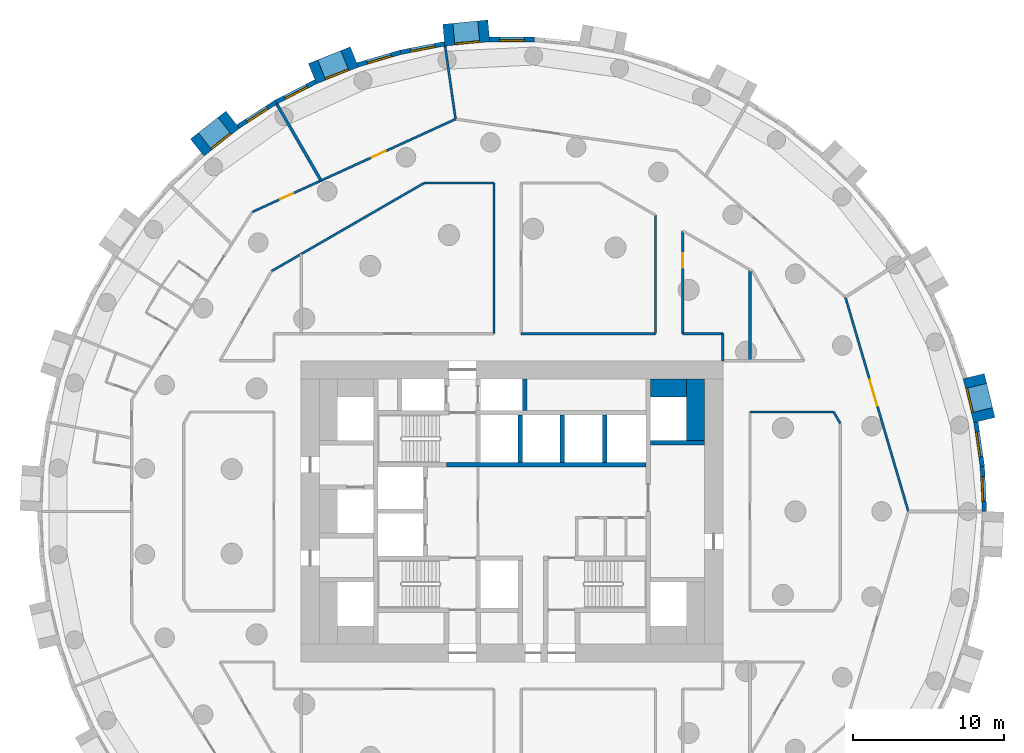
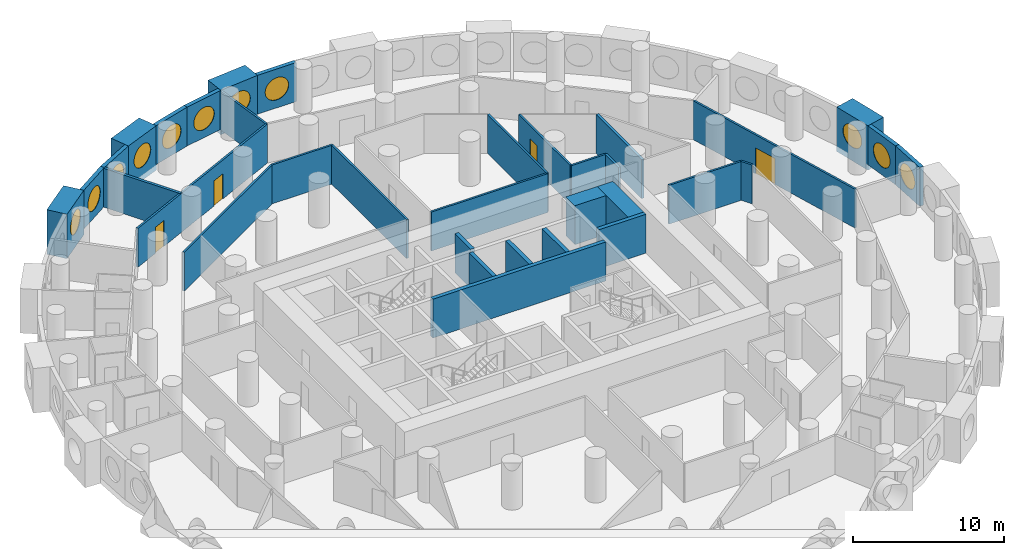
# One storey, part 8 of 11: 34 walls, 11 windows, 4 doors, 15 openings.
"""IFC4 building model written with IfcOpenShell, lengths in metres."""

from ifc_helpers import new_model, si_unit, direction, frame, frame_2d, origin, origin_2d, place, context, subcontext, project, spatial, rectangle, circle, extrude, material, layer, layer_set, type_object, element, fill, save


model = new_model("IFC4")

# Units and contexts
model_context = context("Model", 3, precision=1e-05, world=origin(), true_north=direction((0.0, 1.0)))
body_context = subcontext(model_context, "Body", "Model", "MODEL_VIEW")
ifc_project = project(units=[si_unit("LENGTHUNIT", "METRE"), si_unit("AREAUNIT", "SQUARE_METRE"), si_unit("VOLUMEUNIT", "CUBIC_METRE"), si_unit("PLANEANGLEUNIT", "RADIAN"), si_unit("MASSUNIT", "GRAM", prefix="KILO")], contexts=[model_context])

# Site, building, storey
site_placement = place(None, origin())
site = spatial("IfcSite", under=ifc_project, at=site_placement, CompositionType="ELEMENT")
building_placement = place(site_placement, origin())
building = spatial("IfcBuilding", under=site, at=building_placement, Name="Tracery Tower", CompositionType="ELEMENT")
storey_placement = place(building_placement, frame((0.0, 0.0, 67.800048828125)))
storey = spatial("IfcBuildingStorey", under=building, at=storey_placement, Name="L16", CompositionType="ELEMENT", Elevation=67.800048828125)

# Walls
ifc_material_1 = material(Name="Concrete C60/75", Category="concrete")
ifc_layer_1 = layer(ifc_material_1, 1.199951171875)
ifc_layer_set_1 = layer_set([ifc_layer_1], Name="Core strip wall 1200 C60")
wall_type_1 = type_object("IfcWallType", Name="Core strip wall 1200 C60", PredefinedType="SOLIDWALL", material=ifc_layer_set_1)
wall_1_placement = place(storey_placement, frame((12.199951171875, 4.699951171875, 0.0), z_axis=(0.0, 0.0, 1.0), x_axis=(0.0, 1.0, 0.0)))
element("IfcWall", 1, at=wall_1_placement, inside=storey, type_object=wall_type_1, Name="L16 wing strip +1 4.55", PredefinedType="SOLIDWALL", context=body_context, shape_type="SweptSolid", body=[
    extrude(rectangle(XDim=4.10009765625, YDim=1.199951171875, at=frame_2d((2.050048828125, 0.0))), origin(), (0.0, 0.0, 1.0), 3.14990234375),
])
wall_2_placement = place(storey_placement, frame((9.199951171875, 8.199951171875, 0.0), z_axis=(0.0, 0.0, 1.0), x_axis=(1.0, 0.0, 0.0)))
element("IfcWall", 2, at=wall_2_placement, inside=storey, type_object=wall_type_1, Name="L16 wing corner +1 +8.2", PredefinedType="SOLIDWALL", context=body_context, shape_type="SweptSolid", body=[
    extrude(rectangle(XDim=2.400146484375, YDim=1.199951171875, at=frame_2d((1.2001953125, 0.0))), origin(), (0.0, 0.0, 1.0), 3.14990234375),
])

# Wall, opening, window
ifc_material_2 = material(Name="Precast concrete C50/60", Category="concrete")
ifc_layer_2 = layer(ifc_material_2, 1.449951171875)
ifc_layer_set_2 = layer_set([ifc_layer_2], Name="Deep-set bay unit 3000 x 3600, slab edge 450")
wall_type_2 = type_object("IfcWallType", Name="Deep-set bay unit 3000 x 3600, slab edge 450", PredefinedType="ELEMENTEDWALL", material=ifc_layer_set_2)
wall_3_placement = place(storey_placement, frame((31.367919921875, 6.066162109375, -0.449951171875), z_axis=(0.0, 0.0, 1.0), x_axis=(-0.235751415068, 0.971813392732, 0.0)))
wall_3 = element("IfcWall", 3, at=wall_3_placement, inside=storey, type_object=wall_type_2, Name="Deep-set bay unit 3 at L16", PredefinedType="ELEMENTEDWALL", context=body_context, shape_type="SweptSolid", body=[
    extrude(rectangle(XDim=3.0, YDim=1.449951171875, at=frame_2d((1.5, 0.0))), origin(), (0.0, 0.0, 1.0), 3.599853515625),
])
opening_1_placement = place(wall_3_placement, frame((1.5, 0.0, 2.0)))
opening_1 = element("IfcOpeningElement", 4, at=opening_1_placement, cuts=wall_3, Name="Opening WN1", PredefinedType="OPENING", context=body_context, shape_type="SweptSolid", body=[
    extrude(circle(Radius=0.9000244140625, at=origin_2d()), frame((0.0, 0.73486328125, 0.0), z_axis=(0.0, -1.0, 0.0), x_axis=(1.0, 0.0, 0.0)), (0.0, 0.0, 1.0), 1.469970703125),
])
ifc_material_3 = material(Name="Aluminium frame with tinted double glazing", Category="aluminium")
window_type = type_object("IfcWindowType", Name="Round window 1800", PartitioningType="SINGLE_PANEL", PredefinedType="WINDOW", material=ifc_material_3)
window_1_placement = place(opening_1_placement, origin())
window_1 = element("IfcWindow", 5, at=window_1_placement, inside=storey, type_object=window_type, Name="Round window 3 at L16", OverallHeight=1.800048828125, OverallWidth=1.800048828125, PartitioningType="SINGLE_PANEL", PredefinedType="WINDOW", context=body_context, shape_type="SweptSolid", body=[
    extrude(circle(Radius=0.9000244140625, at=origin_2d()), frame((0.0, 0.69482421875, 0.0), z_axis=(0.0, -1.0, 0.0), x_axis=(1.0, 0.0, 0.0)), (0.0, 0.0, 1.0), 0.10009765625),
])
fill(opening_1, window_1)

wall_4_placement = place(storey_placement, frame((-1.540283203125, 31.911865234375, -0.449951171875), z_axis=(0.0, 0.0, 1.0), x_axis=(-0.995472768558, -0.09504718333, 0.0)))
wall_4 = element("IfcWall", 6, at=wall_4_placement, inside=storey, type_object=wall_type_2, Name="Deep-set bay unit 18 at L16", PredefinedType="ELEMENTEDWALL", context=body_context, shape_type="SweptSolid", body=[
    extrude(rectangle(XDim=3.000244140625, YDim=1.449951171875, at=frame_2d((1.5, 0.0))), origin(), (0.0, 0.0, 1.0), 3.599853515625),
])
opening_2_placement = place(wall_4_placement, frame((1.5, 0.0, 2.0)))
opening_2 = element("IfcOpeningElement", 7, at=opening_2_placement, cuts=wall_4, Name="Opening WN1", PredefinedType="OPENING", context=body_context, shape_type="SweptSolid", body=[
    extrude(circle(Radius=0.9000244140625, at=origin_2d()), frame((0.0, 0.73486328125, 0.0), z_axis=(0.0, -1.0, 0.0), x_axis=(1.0, 0.0, 0.0)), (0.0, 0.0, 1.0), 1.469970703125),
])
window_2_placement = place(opening_2_placement, origin())
window_2 = element("IfcWindow", 8, at=window_2_placement, inside=storey, type_object=window_type, Name="Round window 18 at L16", OverallHeight=1.800048828125, OverallWidth=1.800048828125, PartitioningType="SINGLE_PANEL", PredefinedType="WINDOW", context=body_context, shape_type="SweptSolid", body=[
    extrude(circle(Radius=0.9000244140625, at=origin_2d()), frame((0.0, 0.69482421875, 0.0), z_axis=(0.0, -1.0, 0.0), x_axis=(1.0, 0.0, 0.0)), (0.0, 0.0, 1.0), 0.10009765625),
])
fill(opening_2, window_2)

wall_5_placement = place(storey_placement, frame((-10.46875, 30.185302734375, -0.449951171875), z_axis=(0.0, 0.0, 1.0), x_axis=(-0.928358776184, -0.371685327504, 0.0)))
wall_5 = element("IfcWall", 9, at=wall_5_placement, inside=storey, type_object=wall_type_2, Name="Deep-set bay unit 21 at L16", PredefinedType="ELEMENTEDWALL", context=body_context, shape_type="SweptSolid", body=[
    extrude(rectangle(XDim=2.999755859375, YDim=1.449951171875, at=frame_2d((1.5, 0.0))), origin(), (0.0, 0.0, 1.0), 3.599853515625),
])
opening_3_placement = place(wall_5_placement, frame((1.5, 0.0, 2.0)))
opening_3 = element("IfcOpeningElement", 10, at=opening_3_placement, cuts=wall_5, Name="Opening WN1", PredefinedType="OPENING", context=body_context, shape_type="SweptSolid", body=[
    extrude(circle(Radius=0.9000244140625, at=origin_2d()), frame((0.0, 0.73486328125, 0.0), z_axis=(0.0, -1.0, 0.0), x_axis=(1.0, 0.0, 0.0)), (0.0, 0.0, 1.0), 1.469970703125),
])
window_3_placement = place(opening_3_placement, origin())
window_3 = element("IfcWindow", 11, at=window_3_placement, inside=storey, type_object=window_type, Name="Round window 21 at L16", OverallHeight=1.800048828125, OverallWidth=1.800048828125, PartitioningType="SINGLE_PANEL", PredefinedType="WINDOW", context=body_context, shape_type="SweptSolid", body=[
    extrude(circle(Radius=0.9000244140625, at=origin_2d()), frame((0.0, 0.69482421875, 0.0), z_axis=(0.0, -1.0, 0.0), x_axis=(1.0, 0.0, 0.0)), (0.0, 0.0, 1.0), 0.10009765625),
])
fill(opening_3, window_3)

wall_6_placement = place(storey_placement, frame((-18.548828125, 26.01318359375, -0.449951171875), z_axis=(0.0, 0.0, 1.0), x_axis=(-0.786049992888, -0.618162930529, 0.0)))
wall_6 = element("IfcWall", 12, at=wall_6_placement, inside=storey, type_object=wall_type_2, Name="Deep-set bay unit 24 at L16", PredefinedType="ELEMENTEDWALL", context=body_context, shape_type="SweptSolid", body=[
    extrude(rectangle(XDim=3.0, YDim=1.449951171875, at=frame_2d((1.5, 0.0))), origin(), (0.0, 0.0, 1.0), 3.599853515625),
])
opening_4_placement = place(wall_6_placement, frame((1.5, 0.0, 2.0)))
opening_4 = element("IfcOpeningElement", 13, at=opening_4_placement, cuts=wall_6, Name="Opening WN1", PredefinedType="OPENING", context=body_context, shape_type="SweptSolid", body=[
    extrude(circle(Radius=0.9000244140625, at=origin_2d()), frame((0.0, 0.73486328125, 0.0), z_axis=(0.0, -1.0, 0.0), x_axis=(1.0, 0.0, 0.0)), (0.0, 0.0, 1.0), 1.469970703125),
])
window_4_placement = place(opening_4_placement, origin())
window_4 = element("IfcWindow", 14, at=window_4_placement, inside=storey, type_object=window_type, Name="Round window 24 at L16", OverallHeight=1.800048828125, OverallWidth=1.800048828125, PartitioningType="SINGLE_PANEL", PredefinedType="WINDOW", context=body_context, shape_type="SweptSolid", body=[
    extrude(circle(Radius=0.9000244140625, at=origin_2d()), frame((0.0, 0.69482421875, 0.0), z_axis=(0.0, -1.0, 0.0), x_axis=(1.0, 0.0, 0.0)), (0.0, 0.0, 1.0), 0.10009765625),
])
fill(opening_4, window_4)

ifc_material_4 = material(Name="Precast concrete C50/60", Category="concrete")
ifc_layer_3 = layer(ifc_material_4, 0.300048828125)
ifc_layer_set_3 = layer_set([ifc_layer_3], Name="Facade panel 3000 x 3150")
wall_type_3 = type_object("IfcWallType", Name="Facade panel 3000 x 3150", PredefinedType="SOLIDWALL", material=ifc_layer_set_3)
wall_7_placement = place(storey_placement, frame((31.3740234375, 0.006103515625, 0.0), z_axis=(0.0, 0.0, 1.0), x_axis=(-0.047522328113, 0.998870175914, 0.0)))
wall_7 = element("IfcWall", 15, at=wall_7_placement, inside=storey, type_object=wall_type_3, Name="Facade panel 1 at L16", PredefinedType="SOLIDWALL", context=body_context, shape_type="SweptSolid", body=[
    extrude(rectangle(XDim=2.979736328125, YDim=0.300048828125, at=frame_2d((1.48974609375, 0.0))), origin(), (0.0, 0.0, 1.0), 3.14990234375),
])
opening_5_placement = place(wall_7_placement, frame((1.48974609375, 0.0, 1.5498046875)))
opening_5 = element("IfcOpeningElement", 16, at=opening_5_placement, cuts=wall_7, Name="Opening WN1", PredefinedType="OPENING", context=body_context, shape_type="SweptSolid", body=[
    extrude(circle(Radius=0.9000244140625, at=origin_2d()), frame((0.0, 0.159912109375, 0.0), z_axis=(0.0, -1.0, 0.0), x_axis=(1.0, 0.0, 0.0)), (0.0, 0.0, 1.0), 0.320068359375),
])
window_5_placement = place(opening_5_placement, origin())
window_5 = element("IfcWindow", 17, at=window_5_placement, inside=storey, type_object=window_type, Name="Round window 1 at L16", OverallHeight=1.800048828125, OverallWidth=1.800048828125, PartitioningType="SINGLE_PANEL", PredefinedType="WINDOW", context=body_context, shape_type="SweptSolid", body=[
    extrude(circle(Radius=0.9000244140625, at=origin_2d()), frame((0.0, 0.1201171875, 0.0), z_axis=(0.0, -1.0, 0.0), x_axis=(1.0, 0.0, 0.0)), (0.0, 0.0, 1.0), 0.10009765625),
])
fill(opening_5, window_5)

wall_8_placement = place(storey_placement, frame((31.232421875, 2.982421875, 0.0), z_axis=(0.0, 0.0, 1.0), x_axis=(-0.142327539111, 0.989819615693, 0.0)))
wall_8 = element("IfcWall", 18, at=wall_8_placement, inside=storey, type_object=wall_type_3, Name="Facade panel 2 at L16", PredefinedType="SOLIDWALL", context=body_context, shape_type="SweptSolid", body=[
    extrude(rectangle(XDim=2.9794921875, YDim=0.300048828125, at=frame_2d((1.48974609375, 0.0))), origin(), (0.0, 0.0, 1.0), 3.14990234375),
])
opening_6_placement = place(wall_8_placement, frame((1.48974609375, 0.0, 1.5498046875)))
opening_6 = element("IfcOpeningElement", 19, at=opening_6_placement, cuts=wall_8, Name="Opening WN1", PredefinedType="OPENING", context=body_context, shape_type="SweptSolid", body=[
    extrude(circle(Radius=0.9000244140625, at=origin_2d()), frame((0.0, 0.159912109375, 0.0), z_axis=(0.0, -1.0, 0.0), x_axis=(1.0, 0.0, 0.0)), (0.0, 0.0, 1.0), 0.320068359375),
])
window_6_placement = place(opening_6_placement, origin())
window_6 = element("IfcWindow", 20, at=window_6_placement, inside=storey, type_object=window_type, Name="Round window 2 at L16", OverallHeight=1.800048828125, OverallWidth=1.800048828125, PartitioningType="SINGLE_PANEL", PredefinedType="WINDOW", context=body_context, shape_type="SweptSolid", body=[
    extrude(circle(Radius=0.9000244140625, at=origin_2d()), frame((0.0, 0.1201171875, 0.0), z_axis=(0.0, -1.0, 0.0), x_axis=(1.0, 0.0, 0.0)), (0.0, 0.0, 1.0), 0.10009765625),
])
fill(opening_6, window_6)

wall_9_placement = place(storey_placement, frame((1.492919921875, 31.3388671875, 0.0), z_axis=(0.0, 0.0, 1.0), x_axis=(-1.0, 0.0, 0.0)))
wall_9 = element("IfcWall", 21, at=wall_9_placement, inside=storey, type_object=wall_type_3, Name="Facade panel 17 at L16", PredefinedType="SOLIDWALL", context=body_context, shape_type="SweptSolid", body=[
    extrude(rectangle(XDim=2.979736328125, YDim=0.300048828125, at=frame_2d((1.48974609375, 0.0))), origin(), (0.0, 0.0, 1.0), 3.14990234375),
])
opening_7_placement = place(wall_9_placement, frame((1.48974609375, 0.0, 1.5498046875)))
opening_7 = element("IfcOpeningElement", 22, at=opening_7_placement, cuts=wall_9, Name="Opening WN1", PredefinedType="OPENING", context=body_context, shape_type="SweptSolid", body=[
    extrude(circle(Radius=0.9000244140625, at=origin_2d()), frame((0.0, 0.159912109375, 0.0), z_axis=(0.0, -1.0, 0.0), x_axis=(1.0, 0.0, 0.0)), (0.0, 0.0, 1.0), 0.320068359375),
])
window_7_placement = place(opening_7_placement, origin())
window_7 = element("IfcWindow", 23, at=window_7_placement, inside=storey, type_object=window_type, Name="Round window 17 at L16", OverallHeight=1.800048828125, OverallWidth=1.800048828125, PartitioningType="SINGLE_PANEL", PredefinedType="WINDOW", context=body_context, shape_type="SweptSolid", body=[
    extrude(circle(Radius=0.9000244140625, at=origin_2d()), frame((0.0, 0.1201171875, 0.0), z_axis=(0.0, -1.0, 0.0), x_axis=(1.0, 0.0, 0.0)), (0.0, 0.0, 1.0), 0.10009765625),
])
fill(opening_7, window_7)

wall_10_placement = place(storey_placement, frame((-4.470947265625, 31.053955078125, 0.0), z_axis=(0.0, 0.0, 1.0), x_axis=(-0.981924535406, -0.189272836848, 0.0)))
wall_10 = element("IfcWall", 24, at=wall_10_placement, inside=storey, type_object=wall_type_3, Name="Facade panel 19 at L16", PredefinedType="SOLIDWALL", context=body_context, shape_type="SweptSolid", body=[
    extrude(rectangle(XDim=2.979736328125, YDim=0.300048828125, at=frame_2d((1.48974609375, 0.0))), origin(), (0.0, 0.0, 1.0), 3.14990234375),
])
opening_8_placement = place(wall_10_placement, frame((1.48974609375, 0.0, 1.5498046875)))
opening_8 = element("IfcOpeningElement", 25, at=opening_8_placement, cuts=wall_10, Name="Opening WN1", PredefinedType="OPENING", context=body_context, shape_type="SweptSolid", body=[
    extrude(circle(Radius=0.9000244140625, at=origin_2d()), frame((0.0, 0.159912109375, 0.0), z_axis=(0.0, -1.0, 0.0), x_axis=(1.0, 0.0, 0.0)), (0.0, 0.0, 1.0), 0.320068359375),
])
window_8_placement = place(opening_8_placement, origin())
window_8 = element("IfcWindow", 26, at=window_8_placement, inside=storey, type_object=window_type, Name="Round window 19 at L16", OverallHeight=1.800048828125, OverallWidth=1.800048828125, PartitioningType="SINGLE_PANEL", PredefinedType="WINDOW", context=body_context, shape_type="SweptSolid", body=[
    extrude(circle(Radius=0.9000244140625, at=origin_2d()), frame((0.0, 0.1201171875, 0.0), z_axis=(0.0, -1.0, 0.0), x_axis=(1.0, 0.0, 0.0)), (0.0, 0.0, 1.0), 0.10009765625),
])
fill(opening_8, window_8)

wall_11_placement = place(storey_placement, frame((-7.396728515625, 30.489990234375, 0.0), z_axis=(0.0, 0.0, 1.0), x_axis=(-0.959507586834, -0.28168278401, 0.0)))
wall_11 = element("IfcWall", 27, at=wall_11_placement, inside=storey, type_object=wall_type_3, Name="Facade panel 20 at L16", PredefinedType="SOLIDWALL", context=body_context, shape_type="SweptSolid", body=[
    extrude(rectangle(XDim=2.979736328125, YDim=0.300048828125, at=frame_2d((1.48974609375, 0.0))), origin(), (0.0, 0.0, 1.0), 3.14990234375),
])
opening_9_placement = place(wall_11_placement, frame((1.48974609375, 0.0, 1.5498046875)))
opening_9 = element("IfcOpeningElement", 28, at=opening_9_placement, cuts=wall_11, Name="Opening WN1", PredefinedType="OPENING", context=body_context, shape_type="SweptSolid", body=[
    extrude(circle(Radius=0.9000244140625, at=origin_2d()), frame((0.0, 0.159912109375, 0.0), z_axis=(0.0, -1.0, 0.0), x_axis=(1.0, 0.0, 0.0)), (0.0, 0.0, 1.0), 0.320068359375),
])
window_9_placement = place(opening_9_placement, origin())
window_9 = element("IfcWindow", 29, at=window_9_placement, inside=storey, type_object=window_type, Name="Round window 20 at L16", OverallHeight=1.800048828125, OverallWidth=1.800048828125, PartitioningType="SINGLE_PANEL", PredefinedType="WINDOW", context=body_context, shape_type="SweptSolid", body=[
    extrude(circle(Radius=0.9000244140625, at=origin_2d()), frame((0.0, 0.1201171875, 0.0), z_axis=(0.0, -1.0, 0.0), x_axis=(1.0, 0.0, 0.0)), (0.0, 0.0, 1.0), 0.10009765625),
])
fill(opening_9, window_9)

wall_12_placement = place(storey_placement, frame((-13.038818359375, 28.536376953125, 0.0), z_axis=(0.0, 0.0, 1.0), x_axis=(-0.888853225096, -0.4581920386, 0.0)))
wall_12 = element("IfcWall", 30, at=wall_12_placement, inside=storey, type_object=wall_type_3, Name="Facade panel 22 at L16", PredefinedType="SOLIDWALL", context=body_context, shape_type="SweptSolid", body=[
    extrude(rectangle(XDim=2.9794921875, YDim=0.300048828125, at=frame_2d((1.48974609375, 0.0))), origin(), (0.0, 0.0, 1.0), 3.14990234375),
])
opening_10_placement = place(wall_12_placement, frame((1.48974609375, 0.0, 1.5498046875)))
opening_10 = element("IfcOpeningElement", 31, at=opening_10_placement, cuts=wall_12, Name="Opening WN1", PredefinedType="OPENING", context=body_context, shape_type="SweptSolid", body=[
    extrude(circle(Radius=0.9000244140625, at=origin_2d()), frame((0.0, 0.159912109375, 0.0), z_axis=(0.0, -1.0, 0.0), x_axis=(1.0, 0.0, 0.0)), (0.0, 0.0, 1.0), 0.320068359375),
])
window_10_placement = place(opening_10_placement, origin())
window_10 = element("IfcWindow", 32, at=window_10_placement, inside=storey, type_object=window_type, Name="Round window 22 at L16", OverallHeight=1.800048828125, OverallWidth=1.800048828125, PartitioningType="SINGLE_PANEL", PredefinedType="WINDOW", context=body_context, shape_type="SweptSolid", body=[
    extrude(circle(Radius=0.9000244140625, at=origin_2d()), frame((0.0, 0.1201171875, 0.0), z_axis=(0.0, -1.0, 0.0), x_axis=(1.0, 0.0, 0.0)), (0.0, 0.0, 1.0), 0.10009765625),
])
fill(opening_10, window_10)

wall_13_placement = place(storey_placement, frame((-15.687255859375, 27.171142578125, 0.0), z_axis=(0.0, 0.0, 1.0), x_axis=(-0.84122372879, -0.540687190639, 0.0)))
wall_13 = element("IfcWall", 33, at=wall_13_placement, inside=storey, type_object=wall_type_3, Name="Facade panel 23 at L16", PredefinedType="SOLIDWALL", context=body_context, shape_type="SweptSolid", body=[
    extrude(rectangle(XDim=2.979736328125, YDim=0.300048828125, at=frame_2d((1.48974609375, 0.0))), origin(), (0.0, 0.0, 1.0), 3.14990234375),
])
opening_11_placement = place(wall_13_placement, frame((1.48974609375, 0.0, 1.5498046875)))
opening_11 = element("IfcOpeningElement", 34, at=opening_11_placement, cuts=wall_13, Name="Opening WN1", PredefinedType="OPENING", context=body_context, shape_type="SweptSolid", body=[
    extrude(circle(Radius=0.9000244140625, at=origin_2d()), frame((0.0, 0.159912109375, 0.0), z_axis=(0.0, -1.0, 0.0), x_axis=(1.0, 0.0, 0.0)), (0.0, 0.0, 1.0), 0.320068359375),
])
window_11_placement = place(opening_11_placement, origin())
window_11 = element("IfcWindow", 35, at=window_11_placement, inside=storey, type_object=window_type, Name="Round window 23 at L16", OverallHeight=1.800048828125, OverallWidth=1.800048828125, PartitioningType="SINGLE_PANEL", PredefinedType="WINDOW", context=body_context, shape_type="SweptSolid", body=[
    extrude(circle(Radius=0.9000244140625, at=origin_2d()), frame((0.0, 0.1201171875, 0.0), z_axis=(0.0, -1.0, 0.0), x_axis=(1.0, 0.0, 0.0)), (0.0, 0.0, 1.0), 0.10009765625),
])
fill(opening_11, window_11)

# Walls
ifc_material_5 = material(Name="Plasterboard on steel studs", Category="steel")
ifc_layer_4 = layer(ifc_material_5, 0.14990234375)
ifc_layer_set_4 = layer_set([ifc_layer_4], Name="Partition 150 acoustic unit wall")
wall_type_4 = type_object("IfcWallType", Name="Partition 150 acoustic unit wall", PredefinedType="PARTITIONING", material=ifc_layer_set_4)
wall_14_placement = place(storey_placement, frame((-4.444091796875, 30.906005859375, 0.0), z_axis=(0.0, 0.0, 1.0), x_axis=(0.142306296561, -0.989822669956, 0.0)))
element("IfcWall", 36, at=wall_14_placement, inside=storey, type_object=wall_type_4, Name="Unit wall RA4-068", PredefinedType="PARTITIONING", context=body_context, shape_type="SweptSolid", body=[
    extrude(rectangle(XDim=4.90478515625, YDim=0.14990234375, at=frame_2d((2.452392578125, 0.0))), origin(), (0.0, 0.0, 1.0), 3.14990234375),
])
ifc_material_6 = material(Name="Plasterboard on steel studs", Category="steel")
ifc_layer_5 = layer(ifc_material_6, 0.14990234375)
ifc_layer_set_5 = layer_set([ifc_layer_5], Name="Partition 150 corridor wall")
wall_type_5 = type_object("IfcWallType", Name="Partition 150 corridor wall", PredefinedType="PARTITIONING", material=ifc_layer_set_5)
wall_15_placement = place(storey_placement, frame((0.60400390625, 11.800048828125, 0.0), z_axis=(0.0, 0.0, 1.0), x_axis=(1.0, 0.0, 0.0)))
element("IfcWall", 37, at=wall_15_placement, inside=storey, type_object=wall_type_5, Name="Corridor wall RA4-002", PredefinedType="PARTITIONING", context=body_context, shape_type="SweptSolid", body=[
    extrude(rectangle(XDim=8.93603515625, YDim=0.14990234375, at=frame_2d((4.468017578125, 0.0))), origin(), (0.0, 0.0, 1.0), 3.14990234375),
])
wall_16_placement = place(storey_placement, frame((11.33203125, 11.800048828125, 0.0), z_axis=(0.0, 0.0, 1.0), x_axis=(1.0, 0.0, 0.0)))
element("IfcWall", 38, at=wall_16_placement, inside=storey, type_object=wall_type_5, Name="Corridor wall RA4-003", PredefinedType="PARTITIONING", context=body_context, shape_type="SweptSolid", body=[
    extrude(rectangle(XDim=2.66796875, YDim=0.14990234375, at=frame_2d((1.333984375, 0.0))), origin(), (0.0, 0.0, 1.0), 3.14990234375),
])
wall_17_placement = place(storey_placement, frame((14.0, 10.0, 0.0), z_axis=(0.0, 0.0, 1.0), x_axis=(0.0, 1.0, 0.0)))
element("IfcWall", 39, at=wall_17_placement, inside=storey, type_object=wall_type_5, Name="Corridor wall RA4-004", PredefinedType="PARTITIONING", context=body_context, shape_type="SweptSolid", body=[
    extrude(rectangle(XDim=1.800048828125, YDim=0.14990234375, at=frame_2d((0.89990234375, 0.0))), origin(), (0.0, 0.0, 1.0), 3.14990234375),
])
wall_18_placement = place(storey_placement, frame((21.364013671875, 6.60009765625, 0.0), z_axis=(0.0, 0.0, 1.0), x_axis=(0.500277597875, -0.865865073245, 0.0)))
element("IfcWall", 40, at=wall_18_placement, inside=storey, type_object=wall_type_5, Name="Corridor wall RA4-018", PredefinedType="PARTITIONING", context=body_context, shape_type="SweptSolid", body=[
    extrude(rectangle(XDim=0.87548828125, YDim=0.14990234375, at=frame_2d((0.437744140625, 0.0))), origin(), (0.0, 0.0, 1.0), 3.14990234375),
])
wall_19_placement = place(storey_placement, frame((15.800048828125, 6.60009765625, 0.0), z_axis=(0.0, 0.0, 1.0), x_axis=(1.0, 0.0, 0.0)))
element("IfcWall", 41, at=wall_19_placement, inside=storey, type_object=wall_type_5, Name="Corridor wall RA4-019", PredefinedType="PARTITIONING", context=body_context, shape_type="SweptSolid", body=[
    extrude(rectangle(XDim=5.56396484375, YDim=0.14990234375, at=frame_2d((2.781982421875, 0.0))), origin(), (0.0, 0.0, 1.0), 3.14990234375),
])

# Wall, opening, door
wall_20_placement = place(storey_placement, frame((22.14111328125, 14.22900390625, 0.0), z_axis=(0.0, 0.0, 1.0), x_axis=(0.281730446162, -0.959493593363, 0.0)))
wall_20 = element("IfcWall", 42, at=wall_20_placement, inside=storey, type_object=wall_type_5, Name="Corridor wall RA4-022", PredefinedType="PARTITIONING", context=body_context, shape_type="SweptSolid", body=[
    extrude(rectangle(XDim=14.82958984375, YDim=0.14990234375, at=frame_2d((7.414794921875, 0.0))), origin(), (0.0, 0.0, 1.0), 3.14990234375),
])
opening_12_placement = place(wall_20_placement, frame((5.715087890625, 0.0, 0.0)))
opening_12 = element("IfcOpeningElement", 43, at=opening_12_placement, cuts=wall_20, Name="Opening RA4-13", PredefinedType="OPENING", context=body_context, shape_type="SweptSolid", body=[
    extrude(rectangle(XDim=1.800048828125, YDim=2.10009765625, at=frame_2d((0.89990234375, 1.050048828125))), frame((0.0, 0.074951171875, 0.0), z_axis=(0.0, -1.0, 0.0), x_axis=(1.0, 0.0, 0.0)), (0.0, 0.0, 1.0), 0.14990234375),
])
ifc_material_7 = material(Name="Timber door leaf", Category="wood")
door_type_1 = type_object("IfcDoorType", Name="Door double lounge 1800", OperationType="NOTDEFINED", PredefinedType="DOOR", material=ifc_material_7)
door_1_placement = place(opening_12_placement, origin())
door_1 = element("IfcDoor", 44, at=door_1_placement, inside=storey, type_object=door_type_1, Name="Double lounge door RA4-13", OperationType="DOUBLE_DOOR_SINGLE_SWING", OverallHeight=2.10009765625, OverallWidth=1.800048828125, PredefinedType="DOOR", context=body_context, shape_type="SweptSolid", body=[
    extrude(rectangle(XDim=1.800048828125, YDim=2.10009765625, at=frame_2d((0.89990234375, 1.050048828125))), frame((0.0, 0.02490234375, 0.0), z_axis=(0.0, -1.0, 0.0), x_axis=(1.0, 0.0, 0.0)), (0.0, 0.0, 1.0), 0.050048828125),
])
fill(opening_12, door_1)

# Walls
wall_21_placement = place(storey_placement, frame((-1.19189453125, 11.800048828125, 0.0), z_axis=(0.0, 0.0, 1.0), x_axis=(0.0, 1.0, 0.0)))
element("IfcWall", 45, at=wall_21_placement, inside=storey, type_object=wall_type_5, Name="Corridor wall RA4-026", PredefinedType="PARTITIONING", context=body_context, shape_type="SweptSolid", body=[
    extrude(rectangle(XDim=10.001953125, YDim=0.14990234375, at=frame_2d((5.0009765625, 0.0))), origin(), (0.0, 0.0, 1.0), 3.14990234375),
])
wall_22_placement = place(storey_placement, frame((-5.842041015625, 21.802001953125, 0.0), z_axis=(0.0, 0.0, 1.0), x_axis=(1.0, 0.0, 0.0)))
element("IfcWall", 46, at=wall_22_placement, inside=storey, type_object=wall_type_5, Name="Corridor wall RA4-027", PredefinedType="PARTITIONING", context=body_context, shape_type="SweptSolid", body=[
    extrude(rectangle(XDim=4.650146484375, YDim=0.14990234375, at=frame_2d((2.3251953125, 0.0))), origin(), (0.0, 0.0, 1.0), 3.14990234375),
])
wall_23_placement = place(storey_placement, frame((-15.960205078125, 15.960205078125, 0.0), z_axis=(0.0, 0.0, 1.0), x_axis=(0.866022730501, 0.500004630234, 0.0)))
element("IfcWall", 47, at=wall_23_placement, inside=storey, type_object=wall_type_5, Name="Corridor wall RA4-028", PredefinedType="PARTITIONING", context=body_context, shape_type="SweptSolid", body=[
    extrude(rectangle(XDim=11.68359375, YDim=0.14990234375, at=frame_2d((5.841796875, 0.0))), origin(), (0.0, 0.0, 1.0), 3.14990234375),
])
wall_24_placement = place(storey_placement, frame((9.535888671875, 11.800048828125, 0.0), z_axis=(0.0, 0.0, 1.0), x_axis=(0.0, 1.0, 0.0)))
element("IfcWall", 48, at=wall_24_placement, inside=storey, type_object=wall_type_5, Name="Corridor wall RA4-029", PredefinedType="PARTITIONING", context=body_context, shape_type="SweptSolid", body=[
    extrude(rectangle(XDim=7.868896484375, YDim=0.14990234375, at=frame_2d((3.9345703125, 0.0))), origin(), (0.0, 0.0, 1.0), 3.14990234375),
])

# Wall, opening, door
wall_25_placement = place(storey_placement, frame((11.3359375, 11.800048828125, 0.0), z_axis=(0.0, 0.0, 1.0), x_axis=(0.0, 1.0, 0.0)))
wall_25 = element("IfcWall", 49, at=wall_25_placement, inside=storey, type_object=wall_type_5, Name="Corridor wall RA4-034", PredefinedType="PARTITIONING", context=body_context, shape_type="SweptSolid", body=[
    extrude(rectangle(XDim=6.829833984375, YDim=0.14990234375, at=frame_2d((3.4150390625, 0.0))), origin(), (0.0, 0.0, 1.0), 3.14990234375),
])
opening_13_placement = place(wall_25_placement, frame((4.389892578125, 0.0, 0.0)))
opening_13 = element("IfcOpeningElement", 50, at=opening_13_placement, cuts=wall_25, Name="Opening RA4-03", PredefinedType="OPENING", context=body_context, shape_type="SweptSolid", body=[
    extrude(rectangle(XDim=0.949951171875, YDim=2.10009765625, at=frame_2d((0.47509765625, 1.050048828125))), frame((0.0, 0.074951171875, 0.0), z_axis=(0.0, -1.0, 0.0), x_axis=(1.0, 0.0, 0.0)), (0.0, 0.0, 1.0), 0.14990234375),
])
ifc_material_8 = material(Name="Timber door leaf", Category="wood")
door_type_2 = type_object("IfcDoorType", Name="Door store 950", OperationType="NOTDEFINED", PredefinedType="DOOR", material=ifc_material_8)
door_2_placement = place(opening_13_placement, origin())
door_2 = element("IfcDoor", 51, at=door_2_placement, inside=storey, type_object=door_type_2, Name="Store door RA4-03", OperationType="SINGLE_SWING_LEFT", OverallHeight=2.10009765625, OverallWidth=0.949951171875, PredefinedType="DOOR", context=body_context, shape_type="SweptSolid", body=[
    extrude(rectangle(XDim=0.949951171875, YDim=2.10009765625, at=frame_2d((0.47509765625, 1.050048828125))), frame((0.0, 0.02490234375, 0.0), z_axis=(0.0, -1.0, 0.0), x_axis=(1.0, 0.0, 0.0)), (0.0, 0.0, 1.0), 0.050048828125),
])
fill(opening_13, door_2)

# Wall, openings, doors
wall_26_placement = place(storey_placement, frame((-17.23486328125, 19.8896484375, 0.0), z_axis=(0.0, 0.0, 1.0), x_axis=(0.909599826886, 0.415485444907, 0.0)))
wall_26 = element("IfcWall", 52, at=wall_26_placement, inside=storey, type_object=wall_type_5, Name="Corridor wall RA4-036", PredefinedType="PARTITIONING", context=body_context, shape_type="SweptSolid", body=[
    extrude(rectangle(XDim=14.829345703125, YDim=0.14990234375, at=frame_2d((7.41455078125, 0.0))), origin(), (0.0, 0.0, 1.0), 3.14990234375),
])
opening_14_placement = place(wall_26_placement, frame((8.71484375, 0.0, 0.0)))
opening_14 = element("IfcOpeningElement", 53, at=opening_14_placement, cuts=wall_26, Name="Opening RA4-16", PredefinedType="OPENING", context=body_context, shape_type="SweptSolid", body=[
    extrude(rectangle(XDim=1.0, YDim=2.0400390625, at=frame_2d((0.5, 1.02001953125))), frame((0.0, 0.074951171875, 0.0), z_axis=(0.0, -1.0, 0.0), x_axis=(1.0, 0.0, 0.0)), (0.0, 0.0, 1.0), 0.14990234375),
])
opening_15_placement = place(wall_26_placement, frame((2.029052734375, 0.0, 0.0)))
opening_15 = element("IfcOpeningElement", 54, at=opening_15_placement, cuts=wall_26, Name="Opening RA4-17", PredefinedType="OPENING", context=body_context, shape_type="SweptSolid", body=[
    extrude(rectangle(XDim=0.949951171875, YDim=2.10009765625, at=frame_2d((0.47509765625, 1.050048828125))), frame((0.0, 0.074951171875, 0.0), z_axis=(0.0, -1.0, 0.0), x_axis=(1.0, 0.0, 0.0)), (0.0, 0.0, 1.0), 0.14990234375),
])
ifc_material_9 = material(Name="Timber door leaf", Category="wood")
door_type_3 = type_object("IfcDoorType", Name="Door communal room 1000", OperationType="NOTDEFINED", PredefinedType="DOOR", material=ifc_material_9)
door_3_placement = place(opening_14_placement, origin())
door_3 = element("IfcDoor", 55, at=door_3_placement, inside=storey, type_object=door_type_3, Name="Communal room door RA4-16", OperationType="SINGLE_SWING_LEFT", OverallHeight=2.0400390625, OverallWidth=1.0, PredefinedType="DOOR", context=body_context, shape_type="SweptSolid", body=[
    extrude(rectangle(XDim=1.0, YDim=2.0400390625, at=frame_2d((0.5, 1.02001953125))), frame((0.0, 0.02490234375, 0.0), z_axis=(0.0, -1.0, 0.0), x_axis=(1.0, 0.0, 0.0)), (0.0, 0.0, 1.0), 0.050048828125),
])
fill(opening_14, door_3)
door_4_placement = place(opening_15_placement, origin())
door_4 = element("IfcDoor", 56, at=door_4_placement, inside=storey, type_object=door_type_2, Name="Store door RA4-17", OperationType="SINGLE_SWING_RIGHT", OverallHeight=2.10009765625, OverallWidth=0.949951171875, PredefinedType="DOOR", context=body_context, shape_type="SweptSolid", body=[
    extrude(rectangle(XDim=0.949951171875, YDim=2.10009765625, at=frame_2d((0.47509765625, 1.050048828125))), frame((0.0, 0.02490234375, 0.0), z_axis=(0.0, -1.0, 0.0), x_axis=(1.0, 0.0, 0.0)), (0.0, 0.0, 1.0), 0.050048828125),
])
fill(opening_15, door_4)

# Walls
ifc_material_10 = material(Name="Plasterboard on steel studs", Category="steel")
ifc_layer_6 = layer(ifc_material_10, 0.199951171875)
ifc_layer_set_6 = layer_set([ifc_layer_6], Name="Partition 200 compartment wall")
wall_type_6 = type_object("IfcWallType", Name="Partition 200 compartment wall", PredefinedType="PARTITIONING", material=ifc_layer_set_6)
wall_27_placement = place(storey_placement, frame((15.800048828125, 10.0, 0.0), z_axis=(0.0, 0.0, 1.0), x_axis=(0.0, 1.0, 0.0)))
element("IfcWall", 57, at=wall_27_placement, inside=storey, type_object=wall_type_6, Name="Compartment wall RA4-062", PredefinedType="PARTITIONING", context=body_context, shape_type="SweptSolid", body=[
    extrude(rectangle(XDim=6.052978515625, YDim=0.199951171875, at=frame_2d((3.0263671875, 0.0))), origin(), (0.0, 0.0, 1.0), 3.14990234375),
])
wall_28_placement = place(storey_placement, frame((-15.612060546875, 27.041015625, 0.0), z_axis=(0.0, 0.0, 1.0), x_axis=(0.499954606878, -0.86605160993, 0.0)))
element("IfcWall", 58, at=wall_28_placement, inside=storey, type_object=wall_type_6, Name="Compartment wall RA4-069", PredefinedType="PARTITIONING", context=body_context, shape_type="SweptSolid", body=[
    extrude(rectangle(XDim=5.8564453125, YDim=0.199951171875, at=frame_2d((2.92822265625, 0.0))), origin(), (0.0, 0.0, 1.0), 3.14990234375),
])
ifc_material_11 = material(Name="Concrete C60/75", Category="concrete")
ifc_layer_7 = layer(ifc_material_11, 0.300048828125)
ifc_layer_set_7 = layer_set([ifc_layer_7], Name="Shaft wall 300 C60")
wall_type_7 = type_object("IfcWallType", Name="Shaft wall 300 C60", PredefinedType="SOLIDWALL", material=ifc_layer_set_7)
for number, where, z_axis, x_axis, name in (
    (59, (0.550048828125, 3.25, 0.0), (0.0, 0.0, 1.0), (0.0, 1.0, 0.0), "L16 HR sep 1"),
    (60, (3.35009765625, 3.25, 0.0), (0.0, 0.0, 1.0), (0.0, 1.0, 0.0), "L16 HR sep 2"),
    (61, (6.14990234375, 3.25, 0.0), (0.0, 0.0, 1.0), (0.0, 1.0, 0.0), "L16 HR sep 3"),
):
    element("IfcWall", number, at=place(storey_placement, frame(where, z_axis=z_axis, x_axis=x_axis)), inside=storey, type_object=wall_type_7, Name=name, PredefinedType="SOLIDWALL", context=body_context, shape_type="SweptSolid", body=[
        extrude(rectangle(XDim=3.14990234375, YDim=0.300048828125, at=frame_2d((1.574951171875, 0.0))), origin(), (0.0, 0.0, 1.0), 3.14990234375),
    ])
wall_29_placement = place(storey_placement, frame((0.85009765625, 6.699951171875, 0.0), z_axis=(0.0, 0.0, 1.0), x_axis=(0.0, 1.0, 0.0)))
element("IfcWall", 62, at=wall_29_placement, inside=storey, type_object=wall_type_7, Name="L16 LR sep 0.85", PredefinedType="SOLIDWALL", context=body_context, shape_type="SweptSolid", body=[
    extrude(rectangle(XDim=2.10009765625, YDim=0.300048828125, at=frame_2d((1.050048828125, 0.0))), origin(), (0.0, 0.0, 1.0), 3.14990234375),
])
wall_30_placement = place(storey_placement, frame((9.199951171875, 4.550048828125, 0.0), z_axis=(0.0, 0.0, 1.0), x_axis=(1.0, 0.0, 0.0)))
element("IfcWall", 63, at=wall_30_placement, inside=storey, type_object=wall_type_7, Name="L16 wing shaft wall +1 +4.55", PredefinedType="SOLIDWALL", context=body_context, shape_type="SweptSolid", body=[
    extrude(rectangle(XDim=3.60009765625, YDim=0.300048828125, at=frame_2d((1.800048828125, 0.0))), origin(), (0.0, 0.0, 1.0), 3.14990234375),
])
ifc_material_12 = material(Name="Concrete C60/75", Category="concrete")
ifc_layer_8 = layer(ifc_material_12, 0.300048828125)
ifc_layer_set_8 = layer_set([ifc_layer_8], Name="Stair wall 300 C60")
wall_type_8 = type_object("IfcWallType", Name="Stair wall 300 C60", PredefinedType="SOLIDWALL", material=ifc_layer_set_8)
wall_31_placement = place(storey_placement, frame((-4.35009765625, 3.10009765625, 0.0), z_axis=(0.0, 0.0, 1.0), x_axis=(1.0, 0.0, 0.0)))
element("IfcWall", 64, at=wall_31_placement, inside=storey, type_object=wall_type_8, Name="L16 row N", PredefinedType="SOLIDWALL", context=body_context, shape_type="SweptSolid", body=[
    extrude(rectangle(XDim=13.25, YDim=0.300048828125, at=frame_2d((6.625, 0.0))), origin(), (0.0, 0.0, 1.0), 3.14990234375),
])

save(model, "model.ifc")
